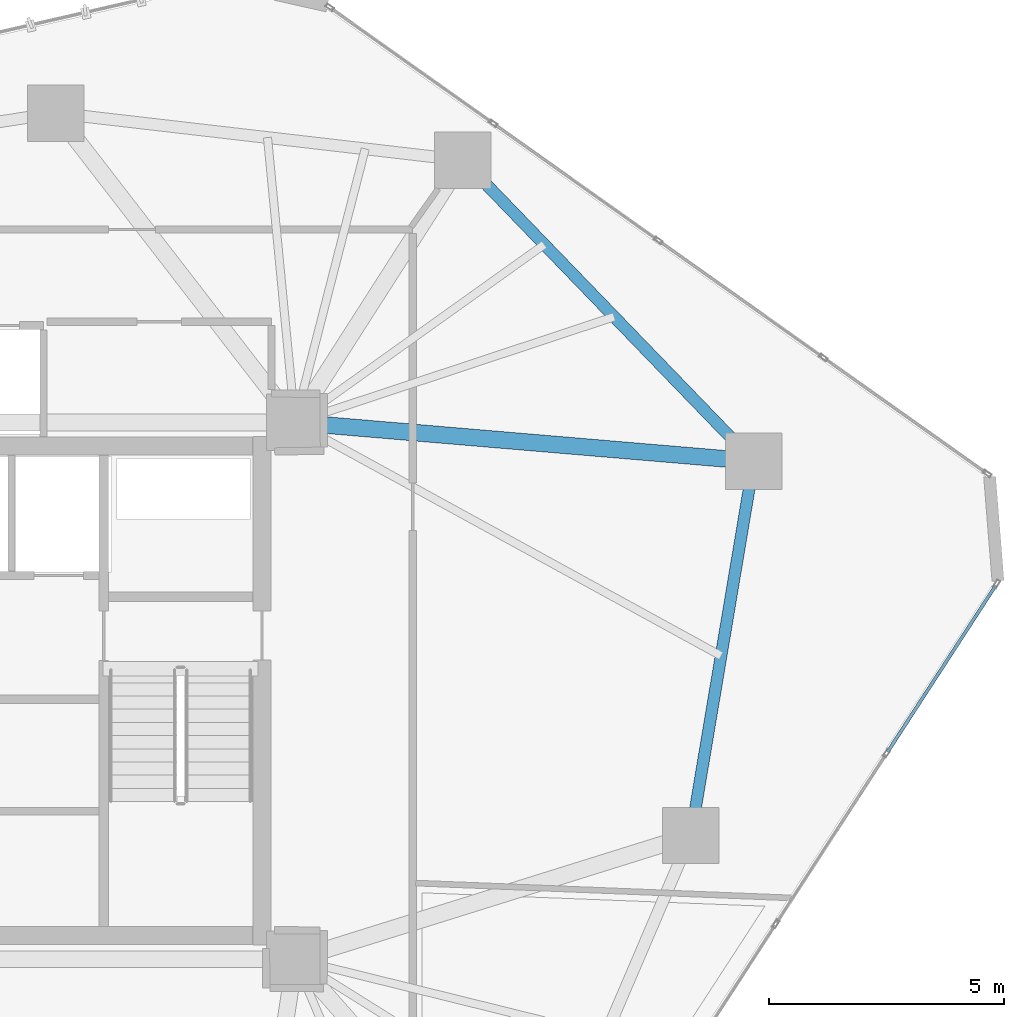
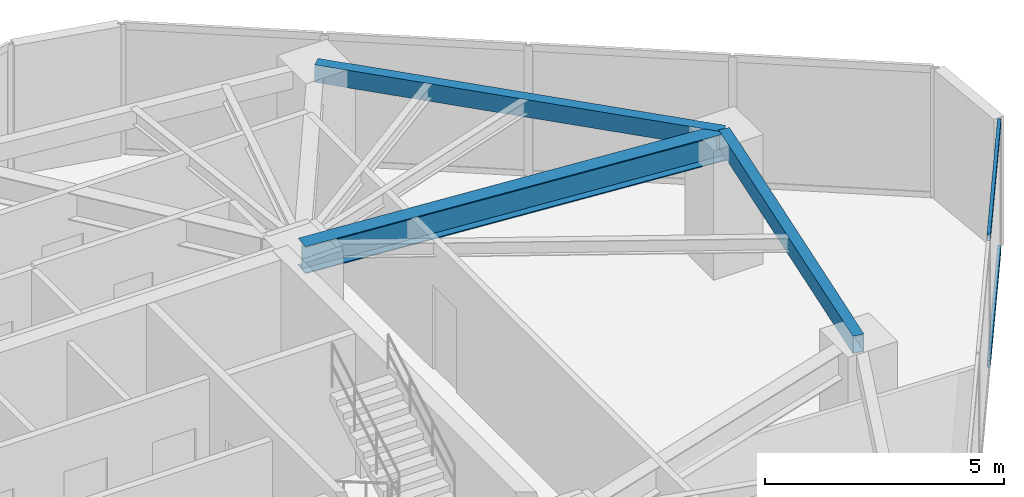
# One storey, part 12 of 21: 3 beams, 2 members, 1 element without a shape of its own.
"""IFC4 building model written with IfcOpenShell, lengths in metres."""

from ifc_helpers import new_model, si_unit, direction, frame, origin, origin_2d, place, context, subcontext, project, spatial, hollow_rectangle, i_section, extrude, source, transform, mapped, material, layer, layer_set, material_profile, profile_set, type_object, type_shapes, element, aggregate, save


model = new_model("IFC4")

# Units and contexts
model_context = context("Model", 3, precision=1e-05, world=origin(), true_north=direction((0.0, 1.0)))
body_context = subcontext(model_context, "Body", "Model", "MODEL_VIEW")
ifc_project = project(units=[si_unit("LENGTHUNIT", "METRE"), si_unit("AREAUNIT", "SQUARE_METRE"), si_unit("VOLUMEUNIT", "CUBIC_METRE"), si_unit("PLANEANGLEUNIT", "RADIAN"), si_unit("MASSUNIT", "GRAM", prefix="KILO")], contexts=[model_context])

# Site, building, storey
site_placement = place(None, origin())
site = spatial("IfcSite", under=ifc_project, at=site_placement, CompositionType="ELEMENT")
building_placement = place(site_placement, origin())
building = spatial("IfcBuilding", under=site, at=building_placement, Name="Talar Marvaseh", CompositionType="ELEMENT")
storey_placement = place(building_placement, frame((0.0, 0.0, 129.0)))
storey = spatial("IfcBuildingStorey", under=building, at=storey_placement, Name="L33", CompositionType="ELEMENT", Elevation=129.0)

# Beams
ifc_material_1 = material(Name="Steel S355", Category="steel")
ifc_material_profile_1 = material_profile(ifc_material_1, hollow_rectangle(XDim=0.25, YDim=0.449951171875, WallThickness=0.01611328125, at=origin_2d()), Name="RHS450x250x16")
ifc_profile_set_1 = profile_set([ifc_material_profile_1], Name="Steel S355")
beam_type_1 = type_object("IfcBeamType", Name="Zone 2 Perimeter Spandrel Beam RHS450x250x16", PredefinedType="SPANDREL", material=ifc_profile_set_1)
beam_1_placement = place(storey_placement, frame((36.865966796875, 42.470947265625, 3.0849609375), z_axis=(0.694796856243, -0.719206040405, 0.0), x_axis=(0.719206040405, 0.694796856243, 0.0)))
element("IfcBeam", 1, at=beam_1_placement, inside=storey, type_object=beam_type_1, Name="L33 Zone 2 Perimeter Spandrel Beam RHS450x250x16", PredefinedType="SPANDREL", context=body_context, shape_type="SweptSolid", body=[
    extrude(hollow_rectangle(XDim=0.25, YDim=0.449951171875, WallThickness=0.01611328125, at=origin_2d()), origin(), (0.0, 0.0, 1.0), 8.891845703125),
])
beam_2_placement = place(storey_placement, frame((43.0439453125, 36.075927734375, 3.0849609375), z_axis=(-0.165641685249, -0.986186002795, 0.0), x_axis=(0.986186002795, -0.165641685249, 0.0)))
element("IfcBeam", 2, at=beam_2_placement, inside=storey, type_object=beam_type_1, Name="L33 Zone 2 Perimeter Spandrel Beam RHS450x250x16", PredefinedType="SPANDREL", context=body_context, shape_type="SweptSolid", body=[
    extrude(hollow_rectangle(XDim=0.25, YDim=0.449951171875, WallThickness=0.01611328125, at=origin_2d()), origin(), (0.0, 0.0, 1.0), 8.059326171875),
])
ifc_material_profile_2 = material_profile(ifc_material_1, i_section(OverallWidth=0.35498046875, OverallDepth=0.695068359375, WebThickness=0.015380859375, FlangeThickness=0.02490234375, at=origin_2d()), Name="W690x217")
ifc_profile_set_2 = profile_set([ifc_material_profile_2], Name="Steel S355")
beam_type_2 = type_object("IfcBeamType", Name="Zone 2 Radial Floor Girder W690x217", PredefinedType="BEAM", material=ifc_profile_set_2)
beam_3_placement = place(storey_placement, frame((43.0439453125, 36.075927734375, 2.96240234375), z_axis=(-0.996443598923, 0.084262412527, 0.0), x_axis=(-0.084262412527, -0.996443598923, 0.0)))
element("IfcBeam", 3, at=beam_3_placement, inside=storey, type_object=beam_type_2, Name="L33 Zone 2 Radial Floor Girder W690x217", PredefinedType="BEAM", context=body_context, shape_type="SweptSolid", body=[
    extrude(i_section(OverallWidth=0.35498046875, OverallDepth=0.695068359375, WebThickness=0.015380859375, FlangeThickness=0.02490234375, at=origin_2d()), origin(), (0.0, 0.0, 1.0), 9.778564453125),
])

# Curtain wall, members
ifc_material_2 = material(Name="Architectural Aluminium", Category="aluminium")
ifc_layer = layer(ifc_material_2, 0.199951171875)
ifc_layer_set = layer_set([ifc_layer], Name="Architectural Aluminium")
curtain_wall_type = type_object("IfcCurtainWallType", Name="Unitised Acoustic Library Curtain Wall Z2", PredefinedType="NOTDEFINED", material=ifc_layer_set)
curtain_wall_placement = place(storey_placement, origin())
curtain_wall = element("IfcCurtainWall", 4, at=curtain_wall_placement, inside=storey, type_object=curtain_wall_type, Name="L33 Unitised Acoustic Library Curtain Wall Z2", PredefinedType="NOTDEFINED")
ifc_material_profile_3 = material_profile(ifc_material_2, hollow_rectangle(XDim=0.074951171875, YDim=0.179931640625, WallThickness=0.0048828125, at=origin_2d()), Name="RHS180x75x5")
ifc_profile_set_3 = profile_set([ifc_material_profile_3], Name="Architectural Aluminium")
member_type = type_object("IfcMemberType", Name="Unitised Curtain Wall Transom RHS180x75x5", PredefinedType="USERDEFINED", material=ifc_profile_set_3)
shared_shape = source(origin(), body_context, "Body", "SweptSolid", [
    extrude(hollow_rectangle(XDim=0.074951171875, YDim=0.179931640625, WallThickness=0.0048828125, at=origin_2d()), origin(), (0.0, 0.0, 1.0), 4.211181640625),
])
type_shapes(member_type, [shared_shape])
member_1_placement = place(storey_placement, frame((48.181396484375, 33.43701171875, 0.03759765625), z_axis=(-0.54480085733, -0.838565457106, 0.0), x_axis=(0.838565457106, -0.54480085733, 0.0)))
member_1 = element("IfcMember", 5, at=member_1_placement, type_object=member_type, Name="CW-Z2 transom 1.1", ObjectType="TRANSOM", PredefinedType="USERDEFINED", context=body_context, shape_type="MappedRepresentation", body=[
    mapped(shared_shape, transform((0.0, 0.0, 0.0), x_axis=(1.0, 0.0, 0.0), y_axis=(0.0, 1.0, 0.0), z_axis=(0.0, 0.0, 1.0), scale=1.0)),
])
member_2_placement = place(storey_placement, frame((48.181396484375, 33.43701171875, 3.2724609375), z_axis=(-0.54480085733, -0.838565457106, 0.0), x_axis=(0.838565457106, -0.54480085733, 0.0)))
member_2 = element("IfcMember", 6, at=member_2_placement, type_object=member_type, Name="CW-Z2 transom 1.2", ObjectType="TRANSOM", PredefinedType="USERDEFINED", context=body_context, shape_type="MappedRepresentation", body=[
    mapped(shared_shape, transform((0.0, 0.0, 0.0), x_axis=(1.0, 0.0, 0.0), y_axis=(0.0, 1.0, 0.0), z_axis=(0.0, 0.0, 1.0), scale=1.0)),
])
aggregate(curtain_wall, [member_1, member_2])

save(model, "model.ifc")
